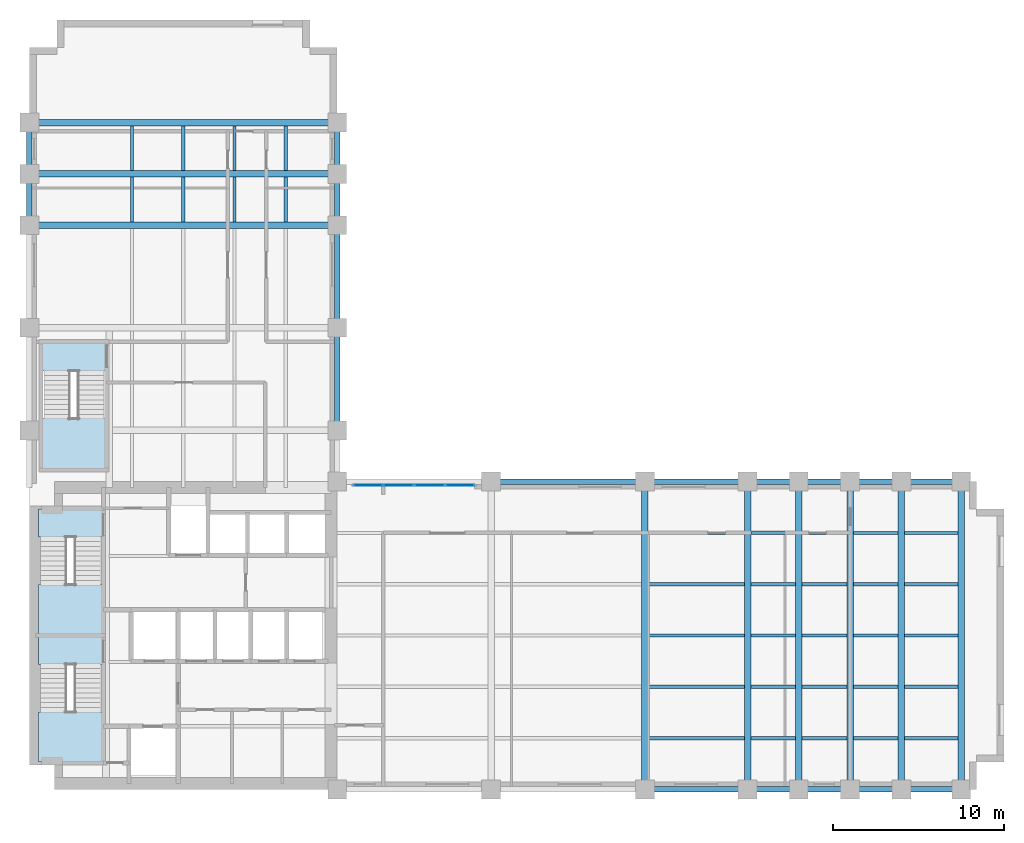
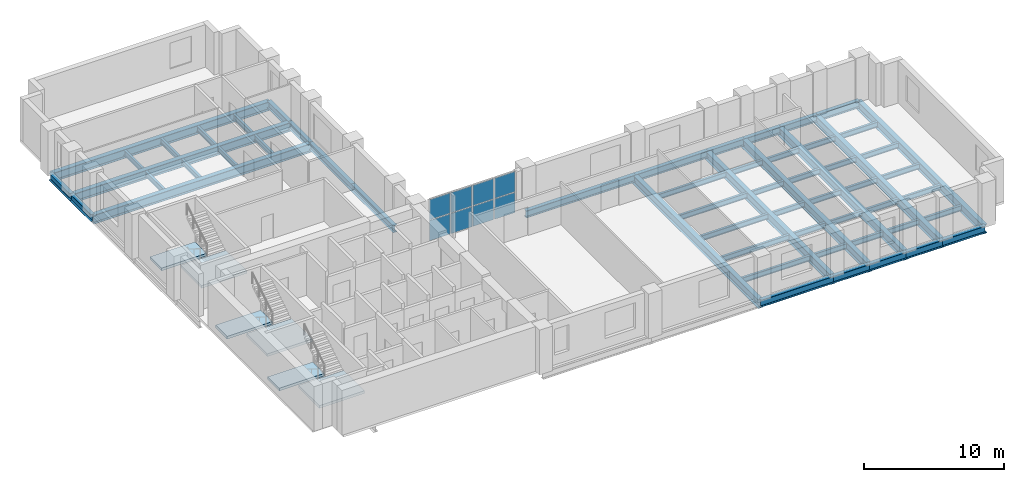
# One storey, part 3 of 8: 59 beams, 8 plates, 6 slabs, 4 elements without a shape of their own.
"""IFC4 building model written with IfcOpenShell, lengths in metres."""

from ifc_helpers import new_model, si_unit, direction, frame, origin, origin_2d, place, context, subcontext, project, spatial, polyline, rectangle, i_section, outline, extrude, material, layer, layer_set, material_profile, profile_set, type_object, element, aggregate, save


model = new_model("IFC4")

# Units and contexts
model_context = context("Model", 3, precision=1e-05, world=origin(), true_north=direction((0.0, 1.0)))
body_context = subcontext(model_context, "Body", "Model", "MODEL_VIEW")
ifc_project = project(units=[si_unit("LENGTHUNIT", "METRE"), si_unit("AREAUNIT", "SQUARE_METRE"), si_unit("VOLUMEUNIT", "CUBIC_METRE"), si_unit("PLANEANGLEUNIT", "RADIAN"), si_unit("MASSUNIT", "GRAM", prefix="KILO")], contexts=[model_context])

# Site, building, storey
site_placement = place(None, origin())
site = spatial("IfcSite", under=ifc_project, at=site_placement, CompositionType="ELEMENT")
building_placement = place(site_placement, origin())
building = spatial("IfcBuilding", under=site, at=building_placement, Name="Mawjdan Bourse Tower", CompositionType="ELEMENT")
storey_placement = place(building_placement, frame((0.0, 0.0, 101.10009765625)))
storey = spatial("IfcBuildingStorey", under=building, at=storey_placement, Name="L23", CompositionType="ELEMENT", Elevation=101.10009765625)

# Beams
ifc_material_1 = material(Name="Structural Steel S355", Category="steel")
ifc_material_profile_1 = material_profile(ifc_material_1, i_section(OverallWidth=0.381103515625, OverallDepth=0.77294921875, WebThickness=0.0166015625, FlangeThickness=0.027099609375, FilletRadius=0.021728515625, at=origin_2d()), Name="W30X173")
ifc_profile_set_1 = profile_set([ifc_material_profile_1], Name="Structural Steel S355")
beam_type_1 = type_object("IfcBeamType", Name="GRD-W30X173", PredefinedType="BEAM", material=ifc_profile_set_1)
for number, where, z_axis, x_axis, name in (
    (1, (42.0, 3.0, -0.586669921875), (0.0, 1.0, 0.0), (-1.0, 0.0, 0.0), "L23 East Wing Clear-Span Girder 003"),
    (2, (48.0, 3.0, -0.586669921875), (0.0, 1.0, 0.0), (-1.0, 0.0, 0.0), "L23 East Wing Clear-Span Girder 004"),
    (3, (51.0, 3.0, -0.586669921875), (0.0, 1.0, 0.0), (-1.0, 0.0, 0.0), "L23 East Wing Clear-Span Girder 005"),
    (4, (54.0, 3.0, -0.586669921875), (0.0, 1.0, 0.0), (-1.0, 0.0, 0.0), "L23 East Wing Clear-Span Girder 006"),
    (5, (57.0, 3.0, -0.586669921875), (0.0, 1.0, 0.0), (-1.0, 0.0, 0.0), "L23 East Wing Clear-Span Girder 007"),
    (6, (60.5, 3.0, -0.586669921875), (0.0, 1.0, 0.0), (-1.0, 0.0, 0.0), "L23 East Wing Clear-Span Girder 008"),
    (7, (6.0, 36.0, -0.586669921875), (1.0, 0.0, 0.0), (0.0, 1.0, 0.0), "L23 North Wing Clear-Span Girder 065"),
    (8, (6.0, 39.0, -0.586669921875), (1.0, 0.0, 0.0), (0.0, 1.0, 0.0), "L23 North Wing Clear-Span Girder 066"),
    (9, (6.0, 42.0, -0.586669921875), (1.0, 0.0, 0.0), (0.0, 1.0, 0.0), "L23 North Wing Clear-Span Girder 067"),
):
    element("IfcBeam", number, at=place(storey_placement, frame(where, z_axis=z_axis, x_axis=x_axis)), inside=storey, type_object=beam_type_1, Name=name, PredefinedType="BEAM", context=body_context, shape_type="SweptSolid", body=[
        extrude(i_section(OverallWidth=0.381103515625, OverallDepth=0.77294921875, WebThickness=0.0166015625, FlangeThickness=0.027099609375, FilletRadius=0.021728515625, at=origin_2d()), origin(), (0.0, 0.0, 1.0), 18.0),
    ])
ifc_material_profile_2 = material_profile(ifc_material_1, i_section(OverallWidth=0.19189453125, OverallDepth=0.462890625, WebThickness=0.010498046875, FlangeThickness=0.017578125, FilletRadius=0.01416015625, at=origin_2d()), Name="W18X60")
ifc_profile_set_2 = profile_set([ifc_material_profile_2], Name="Structural Steel S355")
beam_type_2 = type_object("IfcBeamType", Name="JST-W18X60", PredefinedType="JOIST", material=ifc_profile_set_2)
beam_1_placement = place(storey_placement, frame((42.1884765625, 6.0, -0.431640625), z_axis=(1.0, 0.0, 0.0), x_axis=(0.0, 1.0, 0.0)))
element("IfcBeam", 10, at=beam_1_placement, inside=storey, type_object=beam_type_2, Name="L23 East Wing Composite Joist 025", PredefinedType="JOIST", context=body_context, shape_type="SweptSolid", body=[
    extrude(i_section(OverallWidth=0.19189453125, OverallDepth=0.462890625, WebThickness=0.010498046875, FlangeThickness=0.017578125, FilletRadius=0.01416015625, at=origin_2d()), origin(), (0.0, 0.0, 1.0), 5.623046875),
])
for number, where, z_axis, x_axis, name in (
    (11, (48.1884765625, 6.0, -0.431640625), (1.0, 0.0, 0.0), (0.0, 1.0, 0.0), "L23 East Wing Composite Joist 026"),
    (12, (51.1884765625, 6.0, -0.431640625), (1.0, 0.0, 0.0), (0.0, 1.0, 0.0), "L23 East Wing Composite Joist 027"),
    (13, (54.1884765625, 6.0, -0.431640625), (1.0, 0.0, 0.0), (0.0, 1.0, 0.0), "L23 East Wing Composite Joist 028"),
):
    element("IfcBeam", number, at=place(storey_placement, frame(where, z_axis=z_axis, x_axis=x_axis)), inside=storey, type_object=beam_type_2, Name=name, PredefinedType="JOIST", context=body_context, shape_type="SweptSolid", body=[
        extrude(i_section(OverallWidth=0.19189453125, OverallDepth=0.462890625, WebThickness=0.010498046875, FlangeThickness=0.017578125, FilletRadius=0.01416015625, at=origin_2d()), origin(), (0.0, 0.0, 1.0), 2.623046875),
    ])
beam_2_placement = place(storey_placement, frame((57.1884765625, 6.0, -0.431640625), z_axis=(1.0, 0.0, 0.0), x_axis=(0.0, 1.0, 0.0)))
element("IfcBeam", 14, at=beam_2_placement, inside=storey, type_object=beam_type_2, Name="L23 East Wing Composite Joist 029", PredefinedType="JOIST", context=body_context, shape_type="SweptSolid", body=[
    extrude(i_section(OverallWidth=0.19189453125, OverallDepth=0.462890625, WebThickness=0.010498046875, FlangeThickness=0.017578125, FilletRadius=0.01416015625, at=origin_2d()), origin(), (0.0, 0.0, 1.0), 3.123046875),
])
beam_3_placement = place(storey_placement, frame((42.1884765625, 9.0, -0.431640625), z_axis=(1.0, 0.0, 0.0), x_axis=(0.0, 1.0, 0.0)))
element("IfcBeam", 15, at=beam_3_placement, inside=storey, type_object=beam_type_2, Name="L23 East Wing Composite Joist 032", PredefinedType="JOIST", context=body_context, shape_type="SweptSolid", body=[
    extrude(i_section(OverallWidth=0.19189453125, OverallDepth=0.462890625, WebThickness=0.010498046875, FlangeThickness=0.017578125, FilletRadius=0.01416015625, at=origin_2d()), origin(), (0.0, 0.0, 1.0), 5.623046875),
])
for number, where, z_axis, x_axis, name in (
    (16, (48.1884765625, 9.0, -0.431640625), (1.0, 0.0, 0.0), (0.0, 1.0, 0.0), "L23 East Wing Composite Joist 033"),
    (17, (51.1884765625, 9.0, -0.431640625), (1.0, 0.0, 0.0), (0.0, 1.0, 0.0), "L23 East Wing Composite Joist 034"),
    (18, (54.1884765625, 9.0, -0.431640625), (1.0, 0.0, 0.0), (0.0, 1.0, 0.0), "L23 East Wing Composite Joist 035"),
):
    element("IfcBeam", number, at=place(storey_placement, frame(where, z_axis=z_axis, x_axis=x_axis)), inside=storey, type_object=beam_type_2, Name=name, PredefinedType="JOIST", context=body_context, shape_type="SweptSolid", body=[
        extrude(i_section(OverallWidth=0.19189453125, OverallDepth=0.462890625, WebThickness=0.010498046875, FlangeThickness=0.017578125, FilletRadius=0.01416015625, at=origin_2d()), origin(), (0.0, 0.0, 1.0), 2.623046875),
    ])
beam_4_placement = place(storey_placement, frame((57.1884765625, 9.0, -0.431640625), z_axis=(1.0, 0.0, 0.0), x_axis=(0.0, 1.0, 0.0)))
element("IfcBeam", 19, at=beam_4_placement, inside=storey, type_object=beam_type_2, Name="L23 East Wing Composite Joist 036", PredefinedType="JOIST", context=body_context, shape_type="SweptSolid", body=[
    extrude(i_section(OverallWidth=0.19189453125, OverallDepth=0.462890625, WebThickness=0.010498046875, FlangeThickness=0.017578125, FilletRadius=0.01416015625, at=origin_2d()), origin(), (0.0, 0.0, 1.0), 3.123046875),
])
beam_5_placement = place(storey_placement, frame((42.1884765625, 12.0, -0.431640625), z_axis=(1.0, 0.0, 0.0), x_axis=(0.0, 1.0, 0.0)))
element("IfcBeam", 20, at=beam_5_placement, inside=storey, type_object=beam_type_2, Name="L23 East Wing Composite Joist 039", PredefinedType="JOIST", context=body_context, shape_type="SweptSolid", body=[
    extrude(i_section(OverallWidth=0.19189453125, OverallDepth=0.462890625, WebThickness=0.010498046875, FlangeThickness=0.017578125, FilletRadius=0.01416015625, at=origin_2d()), origin(), (0.0, 0.0, 1.0), 5.623046875),
])
for number, where, z_axis, x_axis, name in (
    (21, (48.1884765625, 12.0, -0.431640625), (1.0, 0.0, 0.0), (0.0, 1.0, 0.0), "L23 East Wing Composite Joist 040"),
    (22, (51.1884765625, 12.0, -0.431640625), (1.0, 0.0, 0.0), (0.0, 1.0, 0.0), "L23 East Wing Composite Joist 041"),
    (23, (54.1884765625, 12.0, -0.431640625), (1.0, 0.0, 0.0), (0.0, 1.0, 0.0), "L23 East Wing Composite Joist 042"),
):
    element("IfcBeam", number, at=place(storey_placement, frame(where, z_axis=z_axis, x_axis=x_axis)), inside=storey, type_object=beam_type_2, Name=name, PredefinedType="JOIST", context=body_context, shape_type="SweptSolid", body=[
        extrude(i_section(OverallWidth=0.19189453125, OverallDepth=0.462890625, WebThickness=0.010498046875, FlangeThickness=0.017578125, FilletRadius=0.01416015625, at=origin_2d()), origin(), (0.0, 0.0, 1.0), 2.623046875),
    ])
beam_6_placement = place(storey_placement, frame((57.1884765625, 12.0, -0.431640625), z_axis=(1.0, 0.0, 0.0), x_axis=(0.0, 1.0, 0.0)))
element("IfcBeam", 24, at=beam_6_placement, inside=storey, type_object=beam_type_2, Name="L23 East Wing Composite Joist 043", PredefinedType="JOIST", context=body_context, shape_type="SweptSolid", body=[
    extrude(i_section(OverallWidth=0.19189453125, OverallDepth=0.462890625, WebThickness=0.010498046875, FlangeThickness=0.017578125, FilletRadius=0.01416015625, at=origin_2d()), origin(), (0.0, 0.0, 1.0), 3.123046875),
])
beam_7_placement = place(storey_placement, frame((42.1884765625, 15.0, -0.431640625), z_axis=(1.0, 0.0, 0.0), x_axis=(0.0, 1.0, 0.0)))
element("IfcBeam", 25, at=beam_7_placement, inside=storey, type_object=beam_type_2, Name="L23 East Wing Composite Joist 046", PredefinedType="JOIST", context=body_context, shape_type="SweptSolid", body=[
    extrude(i_section(OverallWidth=0.19189453125, OverallDepth=0.462890625, WebThickness=0.010498046875, FlangeThickness=0.017578125, FilletRadius=0.01416015625, at=origin_2d()), origin(), (0.0, 0.0, 1.0), 5.623046875),
])
for number, where, z_axis, x_axis, name in (
    (26, (48.1884765625, 15.0, -0.431640625), (1.0, 0.0, 0.0), (0.0, 1.0, 0.0), "L23 East Wing Composite Joist 047"),
    (27, (51.1884765625, 15.0, -0.431640625), (1.0, 0.0, 0.0), (0.0, 1.0, 0.0), "L23 East Wing Composite Joist 048"),
    (28, (54.1884765625, 15.0, -0.431640625), (1.0, 0.0, 0.0), (0.0, 1.0, 0.0), "L23 East Wing Composite Joist 049"),
):
    element("IfcBeam", number, at=place(storey_placement, frame(where, z_axis=z_axis, x_axis=x_axis)), inside=storey, type_object=beam_type_2, Name=name, PredefinedType="JOIST", context=body_context, shape_type="SweptSolid", body=[
        extrude(i_section(OverallWidth=0.19189453125, OverallDepth=0.462890625, WebThickness=0.010498046875, FlangeThickness=0.017578125, FilletRadius=0.01416015625, at=origin_2d()), origin(), (0.0, 0.0, 1.0), 2.623046875),
    ])
beam_8_placement = place(storey_placement, frame((57.1884765625, 15.0, -0.431640625), z_axis=(1.0, 0.0, 0.0), x_axis=(0.0, 1.0, 0.0)))
element("IfcBeam", 29, at=beam_8_placement, inside=storey, type_object=beam_type_2, Name="L23 East Wing Composite Joist 050", PredefinedType="JOIST", context=body_context, shape_type="SweptSolid", body=[
    extrude(i_section(OverallWidth=0.19189453125, OverallDepth=0.462890625, WebThickness=0.010498046875, FlangeThickness=0.017578125, FilletRadius=0.01416015625, at=origin_2d()), origin(), (0.0, 0.0, 1.0), 3.123046875),
])
beam_9_placement = place(storey_placement, frame((42.1884765625, 18.0, -0.431640625), z_axis=(1.0, 0.0, 0.0), x_axis=(0.0, 1.0, 0.0)))
element("IfcBeam", 30, at=beam_9_placement, inside=storey, type_object=beam_type_2, Name="L23 East Wing Composite Joist 053", PredefinedType="JOIST", context=body_context, shape_type="SweptSolid", body=[
    extrude(i_section(OverallWidth=0.19189453125, OverallDepth=0.462890625, WebThickness=0.010498046875, FlangeThickness=0.017578125, FilletRadius=0.01416015625, at=origin_2d()), origin(), (0.0, 0.0, 1.0), 5.623046875),
])
for number, where, z_axis, x_axis, name in (
    (31, (48.1884765625, 18.0, -0.431640625), (1.0, 0.0, 0.0), (0.0, 1.0, 0.0), "L23 East Wing Composite Joist 054"),
    (32, (51.1884765625, 18.0, -0.431640625), (1.0, 0.0, 0.0), (0.0, 1.0, 0.0), "L23 East Wing Composite Joist 055"),
    (33, (54.1884765625, 18.0, -0.431640625), (1.0, 0.0, 0.0), (0.0, 1.0, 0.0), "L23 East Wing Composite Joist 056"),
):
    element("IfcBeam", number, at=place(storey_placement, frame(where, z_axis=z_axis, x_axis=x_axis)), inside=storey, type_object=beam_type_2, Name=name, PredefinedType="JOIST", context=body_context, shape_type="SweptSolid", body=[
        extrude(i_section(OverallWidth=0.19189453125, OverallDepth=0.462890625, WebThickness=0.010498046875, FlangeThickness=0.017578125, FilletRadius=0.01416015625, at=origin_2d()), origin(), (0.0, 0.0, 1.0), 2.623046875),
    ])
beam_10_placement = place(storey_placement, frame((57.1884765625, 18.0, -0.431640625), z_axis=(1.0, 0.0, 0.0), x_axis=(0.0, 1.0, 0.0)))
element("IfcBeam", 34, at=beam_10_placement, inside=storey, type_object=beam_type_2, Name="L23 East Wing Composite Joist 057", PredefinedType="JOIST", context=body_context, shape_type="SweptSolid", body=[
    extrude(i_section(OverallWidth=0.19189453125, OverallDepth=0.462890625, WebThickness=0.010498046875, FlangeThickness=0.017578125, FilletRadius=0.01416015625, at=origin_2d()), origin(), (0.0, 0.0, 1.0), 3.123046875),
])
for number, where, z_axis, x_axis, name in (
    (35, (12.0, 36.1884765625, -0.431640625), (0.0, 1.0, 0.0), (-1.0, 0.0, 0.0), "L23 North Wing Composite Joist 081"),
    (36, (12.0, 39.1884765625, -0.431640625), (0.0, 1.0, 0.0), (-1.0, 0.0, 0.0), "L23 North Wing Composite Joist 082"),
    (37, (15.0, 36.1884765625, -0.431640625), (0.0, 1.0, 0.0), (-1.0, 0.0, 0.0), "L23 North Wing Composite Joist 086"),
    (38, (15.0, 39.1884765625, -0.431640625), (0.0, 1.0, 0.0), (-1.0, 0.0, 0.0), "L23 North Wing Composite Joist 087"),
    (39, (18.0, 36.1884765625, -0.431640625), (0.0, 1.0, 0.0), (-1.0, 0.0, 0.0), "L23 North Wing Composite Joist 091"),
    (40, (18.0, 39.1884765625, -0.431640625), (0.0, 1.0, 0.0), (-1.0, 0.0, 0.0), "L23 North Wing Composite Joist 092"),
    (41, (21.0, 36.1884765625, -0.431640625), (0.0, 1.0, 0.0), (-1.0, 0.0, 0.0), "L23 North Wing Composite Joist 096"),
    (42, (21.0, 39.1884765625, -0.431640625), (0.0, 1.0, 0.0), (-1.0, 0.0, 0.0), "L23 North Wing Composite Joist 097"),
):
    element("IfcBeam", number, at=place(storey_placement, frame(where, z_axis=z_axis, x_axis=x_axis)), inside=storey, type_object=beam_type_2, Name=name, PredefinedType="JOIST", context=body_context, shape_type="SweptSolid", body=[
        extrude(i_section(OverallWidth=0.19189453125, OverallDepth=0.462890625, WebThickness=0.010498046875, FlangeThickness=0.017578125, FilletRadius=0.01416015625, at=origin_2d()), origin(), (0.0, 0.0, 1.0), 2.623046875),
    ])
ifc_material_profile_3 = material_profile(ifc_material_1, i_section(OverallWidth=0.324951171875, OverallDepth=0.616943359375, WebThickness=0.013916015625, FlangeThickness=0.021484375, FilletRadius=0.017333984375, at=origin_2d()), Name="W24X117")
ifc_profile_set_3 = profile_set([ifc_material_profile_3], Name="Structural Steel S355")
beam_type_3 = type_object("IfcBeamType", Name="SPN-W24X117", PredefinedType="SPANDREL", material=ifc_profile_set_3)
beam_11_placement = place(storey_placement, frame((42.0, 3.0, -0.508544921875), z_axis=(1.0, 0.0, 0.0), x_axis=(0.0, 1.0, 0.0)))
element("IfcBeam", 43, at=beam_11_placement, inside=storey, type_object=beam_type_3, Name="L23 Perimeter Masonry-Shelf Spandrel 011", PredefinedType="SPANDREL", context=body_context, shape_type="SweptSolid", body=[
    extrude(i_section(OverallWidth=0.324951171875, OverallDepth=0.616943359375, WebThickness=0.013916015625, FlangeThickness=0.021484375, FilletRadius=0.017333984375, at=origin_2d()), origin(), (0.0, 0.0, 1.0), 6.0),
])
for number, where, z_axis, x_axis, name in (
    (44, (48.0, 3.0, -0.508544921875), (1.0, 0.0, 0.0), (0.0, 1.0, 0.0), "L23 Perimeter Masonry-Shelf Spandrel 012"),
    (45, (51.0, 3.0, -0.508544921875), (1.0, 0.0, 0.0), (0.0, 1.0, 0.0), "L23 Perimeter Masonry-Shelf Spandrel 013"),
    (46, (54.0, 3.0, -0.508544921875), (1.0, 0.0, 0.0), (0.0, 1.0, 0.0), "L23 Perimeter Masonry-Shelf Spandrel 014"),
):
    element("IfcBeam", number, at=place(storey_placement, frame(where, z_axis=z_axis, x_axis=x_axis)), inside=storey, type_object=beam_type_3, Name=name, PredefinedType="SPANDREL", context=body_context, shape_type="SweptSolid", body=[
        extrude(i_section(OverallWidth=0.324951171875, OverallDepth=0.616943359375, WebThickness=0.013916015625, FlangeThickness=0.021484375, FilletRadius=0.017333984375, at=origin_2d()), origin(), (0.0, 0.0, 1.0), 3.0),
    ])
beam_12_placement = place(storey_placement, frame((57.0, 3.0, -0.508544921875), z_axis=(1.0, 0.0, 0.0), x_axis=(0.0, 1.0, 0.0)))
element("IfcBeam", 47, at=beam_12_placement, inside=storey, type_object=beam_type_3, Name="L23 Perimeter Masonry-Shelf Spandrel 015", PredefinedType="SPANDREL", context=body_context, shape_type="SweptSolid", body=[
    extrude(i_section(OverallWidth=0.324951171875, OverallDepth=0.616943359375, WebThickness=0.013916015625, FlangeThickness=0.021484375, FilletRadius=0.017333984375, at=origin_2d()), origin(), (0.0, 0.0, 1.0), 3.5),
])
beam_13_placement = place(storey_placement, frame((33.0, 21.0, -0.508544921875), z_axis=(1.0, 0.0, 0.0), x_axis=(0.0, 1.0, 0.0)))
element("IfcBeam", 48, at=beam_13_placement, inside=storey, type_object=beam_type_3, Name="L23 Perimeter Masonry-Shelf Spandrel 017", PredefinedType="SPANDREL", context=body_context, shape_type="SweptSolid", body=[
    extrude(i_section(OverallWidth=0.324951171875, OverallDepth=0.616943359375, WebThickness=0.013916015625, FlangeThickness=0.021484375, FilletRadius=0.017333984375, at=origin_2d()), origin(), (0.0, 0.0, 1.0), 9.0),
])
beam_14_placement = place(storey_placement, frame((42.0, 21.0, -0.508544921875), z_axis=(1.0, 0.0, 0.0), x_axis=(0.0, 1.0, 0.0)))
element("IfcBeam", 49, at=beam_14_placement, inside=storey, type_object=beam_type_3, Name="L23 Perimeter Masonry-Shelf Spandrel 018", PredefinedType="SPANDREL", context=body_context, shape_type="SweptSolid", body=[
    extrude(i_section(OverallWidth=0.324951171875, OverallDepth=0.616943359375, WebThickness=0.013916015625, FlangeThickness=0.021484375, FilletRadius=0.017333984375, at=origin_2d()), origin(), (0.0, 0.0, 1.0), 6.0),
])
for number, where, z_axis, x_axis, name in (
    (50, (48.0, 21.0, -0.508544921875), (1.0, 0.0, 0.0), (0.0, 1.0, 0.0), "L23 Perimeter Masonry-Shelf Spandrel 019"),
    (51, (51.0, 21.0, -0.508544921875), (1.0, 0.0, 0.0), (0.0, 1.0, 0.0), "L23 Perimeter Masonry-Shelf Spandrel 020"),
    (52, (54.0, 21.0, -0.508544921875), (1.0, 0.0, 0.0), (0.0, 1.0, 0.0), "L23 Perimeter Masonry-Shelf Spandrel 021"),
):
    element("IfcBeam", number, at=place(storey_placement, frame(where, z_axis=z_axis, x_axis=x_axis)), inside=storey, type_object=beam_type_3, Name=name, PredefinedType="SPANDREL", context=body_context, shape_type="SweptSolid", body=[
        extrude(i_section(OverallWidth=0.324951171875, OverallDepth=0.616943359375, WebThickness=0.013916015625, FlangeThickness=0.021484375, FilletRadius=0.017333984375, at=origin_2d()), origin(), (0.0, 0.0, 1.0), 3.0),
    ])
beam_15_placement = place(storey_placement, frame((57.0, 21.0, -0.508544921875), z_axis=(1.0, 0.0, 0.0), x_axis=(0.0, 1.0, 0.0)))
element("IfcBeam", 53, at=beam_15_placement, inside=storey, type_object=beam_type_3, Name="L23 Perimeter Masonry-Shelf Spandrel 022", PredefinedType="SPANDREL", context=body_context, shape_type="SweptSolid", body=[
    extrude(i_section(OverallWidth=0.324951171875, OverallDepth=0.616943359375, WebThickness=0.013916015625, FlangeThickness=0.021484375, FilletRadius=0.017333984375, at=origin_2d()), origin(), (0.0, 0.0, 1.0), 3.5),
])
for number, where, z_axis, x_axis, name in (
    (54, (6.0, 36.0, -0.508544921875), (0.0, 1.0, 0.0), (-1.0, 0.0, 0.0), "L23 North Wing Spandrel 071"),
    (55, (6.0, 39.0, -0.508544921875), (0.0, 1.0, 0.0), (-1.0, 0.0, 0.0), "L23 North Wing Spandrel 072"),
):
    element("IfcBeam", number, at=place(storey_placement, frame(where, z_axis=z_axis, x_axis=x_axis)), inside=storey, type_object=beam_type_3, Name=name, PredefinedType="SPANDREL", context=body_context, shape_type="SweptSolid", body=[
        extrude(i_section(OverallWidth=0.324951171875, OverallDepth=0.616943359375, WebThickness=0.013916015625, FlangeThickness=0.021484375, FilletRadius=0.017333984375, at=origin_2d()), origin(), (0.0, 0.0, 1.0), 3.0),
    ])
for number, where, z_axis, x_axis, name in (
    (56, (24.0, 24.0, -0.508544921875), (0.0, 1.0, 0.0), (-1.0, 0.0, 0.0), "L23 North Wing Spandrel 074"),
    (57, (24.0, 30.0, -0.508544921875), (0.0, 1.0, 0.0), (-1.0, 0.0, 0.0), "L23 North Wing Spandrel 075"),
):
    element("IfcBeam", number, at=place(storey_placement, frame(where, z_axis=z_axis, x_axis=x_axis)), inside=storey, type_object=beam_type_3, Name=name, PredefinedType="SPANDREL", context=body_context, shape_type="SweptSolid", body=[
        extrude(i_section(OverallWidth=0.324951171875, OverallDepth=0.616943359375, WebThickness=0.013916015625, FlangeThickness=0.021484375, FilletRadius=0.017333984375, at=origin_2d()), origin(), (0.0, 0.0, 1.0), 6.0),
    ])
for number, where, z_axis, x_axis, name in (
    (58, (24.0, 36.0, -0.508544921875), (0.0, 1.0, 0.0), (-1.0, 0.0, 0.0), "L23 North Wing Spandrel 076"),
    (59, (24.0, 39.0, -0.508544921875), (0.0, 1.0, 0.0), (-1.0, 0.0, 0.0), "L23 North Wing Spandrel 077"),
):
    element("IfcBeam", number, at=place(storey_placement, frame(where, z_axis=z_axis, x_axis=x_axis)), inside=storey, type_object=beam_type_3, Name=name, PredefinedType="SPANDREL", context=body_context, shape_type="SweptSolid", body=[
        extrude(i_section(OverallWidth=0.324951171875, OverallDepth=0.616943359375, WebThickness=0.013916015625, FlangeThickness=0.021484375, FilletRadius=0.017333984375, at=origin_2d()), origin(), (0.0, 0.0, 1.0), 3.0),
    ])

# Curtain wall, plates
ifc_material_2 = material(Name="Thermally Broken Aluminium and Solar Glass", Category="aluminium")
ifc_layer_1 = layer(ifc_material_2, 0.219970703125)
ifc_layer_set_1 = layer_set([ifc_layer_1], Name="Thermally Broken Aluminium and Solar Glass")
curtain_wall_type = type_object("IfcCurtainWallType", Name="CW-ATR", PredefinedType="USERDEFINED", material=ifc_layer_set_1)
curtain_wall_placement = place(storey_placement, origin())
curtain_wall = element("IfcCurtainWall", 60, at=curtain_wall_placement, inside=storey, type_object=curtain_wall_type, Name="L23 Northeast Atrium Court Curtain Wall", ObjectType="ATRIUM GLAZED CURTAIN WALL", PredefinedType="USERDEFINED")
ifc_material_3 = material(Name="Low-SHGC Clear Atrium Glass", Category="glass")
ifc_layer_2 = layer(ifc_material_3, 0.035888671875)
ifc_layer_set_2 = layer_set([ifc_layer_2], Name="Low-SHGC Clear Atrium Glass")
plate_type = type_object("IfcPlateType", Name="PNL-CW-ATR", PredefinedType="CURTAIN_PANEL", material=ifc_layer_set_2)
plate_1_placement = place(storey_placement, frame((31.1826171875, 20.7900390625, 0.06005859375), z_axis=(0.0, 0.0, 1.0), x_axis=(-1.0, 0.0, 0.0)))
plate_1 = element("IfcPlate", 61, at=plate_1_placement, type_object=plate_type, Name="CW-ATR-L23-ATR-NE panel 1.1", PredefinedType="CURTAIN_PANEL", context=body_context, shape_type="SweptSolid", body=[
    extrude(rectangle(XDim=1.695068359375, YDim=0.035888671875, at=origin_2d()), origin(), (0.0, 0.0, 1.0), 1.760009765625),
])
plate_2_placement = place(storey_placement, frame((31.1826171875, 20.7900390625, 1.8798828125), z_axis=(0.0, 0.0, 1.0), x_axis=(-1.0, 0.0, 0.0)))
plate_2 = element("IfcPlate", 62, at=plate_2_placement, type_object=plate_type, Name="CW-ATR-L23-ATR-NE panel 1.2", PredefinedType="CURTAIN_PANEL", context=body_context, shape_type="SweptSolid", body=[
    extrude(rectangle(XDim=1.695068359375, YDim=0.035888671875, at=origin_2d()), origin(), (0.0, 0.0, 1.0), 1.760009765625),
])
plate_3_placement = place(storey_placement, frame((29.39990234375, 20.7900390625, 0.06005859375), z_axis=(0.0, 0.0, 1.0), x_axis=(-1.0, 0.0, 0.0)))
plate_3 = element("IfcPlate", 63, at=plate_3_placement, type_object=plate_type, Name="CW-ATR-L23-ATR-NE panel 2.1", PredefinedType="CURTAIN_PANEL", context=body_context, shape_type="SweptSolid", body=[
    extrude(rectangle(XDim=1.72998046875, YDim=0.035888671875, at=origin_2d()), origin(), (0.0, 0.0, 1.0), 1.760009765625),
])
plate_4_placement = place(storey_placement, frame((29.39990234375, 20.7900390625, 1.8798828125), z_axis=(0.0, 0.0, 1.0), x_axis=(-1.0, 0.0, 0.0)))
plate_4 = element("IfcPlate", 64, at=plate_4_placement, type_object=plate_type, Name="CW-ATR-L23-ATR-NE panel 2.2", PredefinedType="CURTAIN_PANEL", context=body_context, shape_type="SweptSolid", body=[
    extrude(rectangle(XDim=1.72998046875, YDim=0.035888671875, at=origin_2d()), origin(), (0.0, 0.0, 1.0), 1.760009765625),
])
plate_5_placement = place(storey_placement, frame((27.60009765625, 20.7900390625, 0.06005859375), z_axis=(0.0, 0.0, 1.0), x_axis=(-1.0, 0.0, 0.0)))
plate_5 = element("IfcPlate", 65, at=plate_5_placement, type_object=plate_type, Name="CW-ATR-L23-ATR-NE panel 3.1", PredefinedType="CURTAIN_PANEL", context=body_context, shape_type="SweptSolid", body=[
    extrude(rectangle(XDim=1.72998046875, YDim=0.035888671875, at=origin_2d()), origin(), (0.0, 0.0, 1.0), 1.760009765625),
])
plate_6_placement = place(storey_placement, frame((27.60009765625, 20.7900390625, 1.8798828125), z_axis=(0.0, 0.0, 1.0), x_axis=(-1.0, 0.0, 0.0)))
plate_6 = element("IfcPlate", 66, at=plate_6_placement, type_object=plate_type, Name="CW-ATR-L23-ATR-NE panel 3.2", PredefinedType="CURTAIN_PANEL", context=body_context, shape_type="SweptSolid", body=[
    extrude(rectangle(XDim=1.72998046875, YDim=0.035888671875, at=origin_2d()), origin(), (0.0, 0.0, 1.0), 1.760009765625),
])
plate_7_placement = place(storey_placement, frame((25.8173828125, 20.7900390625, 0.06005859375), z_axis=(0.0, 0.0, 1.0), x_axis=(-1.0, 0.0, 0.0)))
plate_7 = element("IfcPlate", 67, at=plate_7_placement, type_object=plate_type, Name="CW-ATR-L23-ATR-NE panel 4.1", PredefinedType="CURTAIN_PANEL", context=body_context, shape_type="SweptSolid", body=[
    extrude(rectangle(XDim=1.695068359375, YDim=0.035888671875, at=origin_2d()), origin(), (0.0, 0.0, 1.0), 1.760009765625),
])
plate_8_placement = place(storey_placement, frame((25.8173828125, 20.7900390625, 1.8798828125), z_axis=(0.0, 0.0, 1.0), x_axis=(-1.0, 0.0, 0.0)))
plate_8 = element("IfcPlate", 68, at=plate_8_placement, type_object=plate_type, Name="CW-ATR-L23-ATR-NE panel 4.2", PredefinedType="CURTAIN_PANEL", context=body_context, shape_type="SweptSolid", body=[
    extrude(rectangle(XDim=1.695068359375, YDim=0.035888671875, at=origin_2d()), origin(), (0.0, 0.0, 1.0), 1.760009765625),
])
aggregate(curtain_wall, [plate_1, plate_2, plate_3, plate_4, plate_5, plate_6, plate_7, plate_8])

# Stair, slabs
ifc_material_4 = material(Name="Concrete C50/60", Category="concrete")
stair_type = type_object("IfcStairType", Name="STR-CORE-1500", PredefinedType="HALF_TURN_STAIR", material=ifc_material_4)
stair_1_placement = place(storey_placement, origin())
stair_1 = element("IfcStair", 69, at=stair_1_placement, inside=storey, type_object=stair_type, Name="L23 Exit Stair 1 (Core South-West)", PredefinedType="HALF_TURN_STAIR")
ifc_layer_3 = layer(ifc_material_4, 0.22998046875)
ifc_layer_set_3 = layer_set([ifc_layer_3], Name="Concrete C50/60")
slab_type = type_object("IfcSlabType", Name="SL-LND-230", PredefinedType="LANDING", material=ifc_layer_set_3)
slab_1_placement = place(storey_placement, frame((0.0, 0.0, -0.22998046875)))
slab_1 = element("IfcSlab", 70, at=slab_1_placement, type_object=slab_type, Name="ST1-L23 landing 1", PredefinedType="LANDING", context=body_context, shape_type="SweptSolid", body=[
    extrude(outline(polyline([(6.5400390625, 10.31005859375), (10.260009765625, 10.31005859375), (10.260009765625, 11.969970703125), (6.5400390625, 11.969970703125), (6.5400390625, 10.31005859375)])), origin(), (0.0, 0.0, 1.0), 0.22998046875),
])
slab_2_placement = place(storey_placement, frame((0.0, 0.0, 1.719970703125)))
slab_2 = element("IfcSlab", 71, at=slab_2_placement, type_object=slab_type, Name="ST1-L23 landing 2", PredefinedType="LANDING", context=body_context, shape_type="SweptSolid", body=[
    extrude(outline(polyline([(6.5400390625, 4.590087890625), (10.260009765625, 4.590087890625), (10.260009765625, 7.5400390625), (6.5400390625, 7.5400390625), (6.5400390625, 4.590087890625)])), origin(), (0.0, 0.0, 1.0), 0.22998046875),
])
aggregate(stair_1, [slab_1, slab_2])

stair_2_placement = place(storey_placement, origin())
stair_2 = element("IfcStair", 72, at=stair_2_placement, inside=storey, type_object=stair_type, Name="L23 Exit Stair 2 (Core North-West)", PredefinedType="HALF_TURN_STAIR")
slab_3_placement = place(storey_placement, frame((0.0, 0.0, -0.22998046875)))
slab_3 = element("IfcSlab", 73, at=slab_3_placement, type_object=slab_type, Name="ST2-L23 landing 1", PredefinedType="LANDING", context=body_context, shape_type="SweptSolid", body=[
    extrude(outline(polyline([(6.5400390625, 17.75), (10.260009765625, 17.75), (10.260009765625, 19.409912109375), (6.5400390625, 19.409912109375), (6.5400390625, 17.75)])), origin(), (0.0, 0.0, 1.0), 0.22998046875),
])
slab_4_placement = place(storey_placement, frame((0.0, 0.0, 1.719970703125)))
slab_4 = element("IfcSlab", 74, at=slab_4_placement, type_object=slab_type, Name="ST2-L23 landing 2", PredefinedType="LANDING", context=body_context, shape_type="SweptSolid", body=[
    extrude(outline(polyline([(6.5400390625, 12.030029296875), (10.260009765625, 12.030029296875), (10.260009765625, 14.97998046875), (6.5400390625, 14.97998046875), (6.5400390625, 12.030029296875)])), origin(), (0.0, 0.0, 1.0), 0.22998046875),
])
aggregate(stair_2, [slab_3, slab_4])

stair_3_placement = place(storey_placement, origin())
stair_3 = element("IfcStair", 75, at=stair_3_placement, inside=storey, type_object=stair_type, Name="L23 Exit Stair 3 (North Wing)", PredefinedType="HALF_TURN_STAIR")
slab_5_placement = place(storey_placement, frame((0.0, 0.0, -0.22998046875)))
slab_5 = element("IfcSlab", 76, at=slab_5_placement, type_object=slab_type, Name="ST3-L23 landing 1", PredefinedType="LANDING", context=body_context, shape_type="SweptSolid", body=[
    extrude(outline(polyline([(6.739990234375, 27.4599609375), (10.4599609375, 27.4599609375), (10.4599609375, 29.1201171875), (6.739990234375, 29.1201171875), (6.739990234375, 27.4599609375)])), origin(), (0.0, 0.0, 1.0), 0.22998046875),
])
slab_6_placement = place(storey_placement, frame((0.0, 0.0, 1.719970703125)))
slab_6 = element("IfcSlab", 77, at=slab_6_placement, type_object=slab_type, Name="ST3-L23 landing 2", PredefinedType="LANDING", context=body_context, shape_type="SweptSolid", body=[
    extrude(outline(polyline([(6.739990234375, 21.739990234375), (10.4599609375, 21.739990234375), (10.4599609375, 24.68994140625), (6.739990234375, 24.68994140625), (6.739990234375, 21.739990234375)])), origin(), (0.0, 0.0, 1.0), 0.22998046875),
])
aggregate(stair_3, [slab_5, slab_6])

save(model, "model.ifc")
